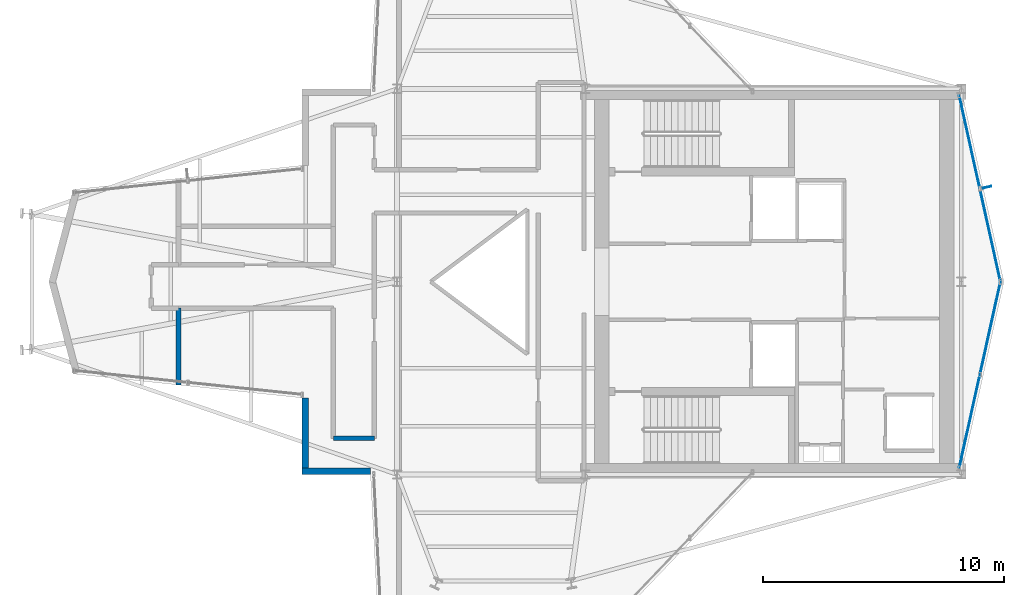
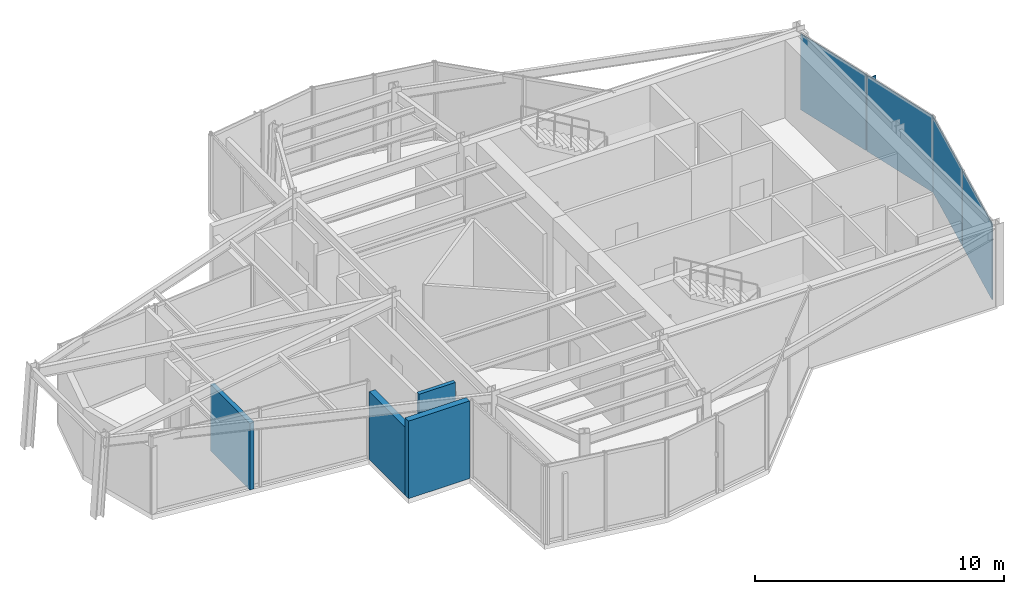
# One storey, part 11 of 14: 5 plates, 4 walls, 2 elements without a shape of their own.
"""IFC4 building model written with IfcOpenShell, lengths in metres."""

from ifc_helpers import new_model, si_unit, direction, frame, frame_2d, origin, origin_2d, place, context, subcontext, project, spatial, rectangle, extrude, material, layer, layer_set, type_object, element, aggregate, save


model = new_model("IFC4")

# Units and contexts
model_context = context("Model", 3, precision=1e-05, world=origin(), true_north=direction((0.0, 1.0)))
body_context = subcontext(model_context, "Body", "Model", "MODEL_VIEW")
ifc_project = project(units=[si_unit("LENGTHUNIT", "METRE"), si_unit("AREAUNIT", "SQUARE_METRE"), si_unit("VOLUMEUNIT", "CUBIC_METRE"), si_unit("PLANEANGLEUNIT", "RADIAN"), si_unit("MASSUNIT", "GRAM", prefix="KILO")], contexts=[model_context])

# Site, building, storey
site_placement = place(None, origin())
site = spatial("IfcSite", under=ifc_project, at=site_placement, CompositionType="ELEMENT")
building_placement = place(site_placement, origin())
building = spatial("IfcBuilding", under=site, at=building_placement, Name="Veymaron Broadcast Tower", CompositionType="ELEMENT")
storey_placement = place(building_placement, frame((0.0, 0.0, 299.25)))
storey = spatial("IfcBuildingStorey", under=building, at=storey_placement, Name="L70", CompositionType="ELEMENT", Elevation=299.25)

# Curtain wall, plates
ifc_material_1 = material(Name="Anodised aluminium AA 6063-T6 and laminated low-E dark glass", Category="aluminium")
ifc_layer_1 = layer(ifc_material_1, 0.179931640625)
ifc_layer_set_1 = layer_set([ifc_layer_1], Name="Anodised aluminium AA 6063-T6 and laminated low-E dark glass")
curtain_wall_type = type_object("IfcCurtainWallType", Name="CW-SYS-06", PredefinedType="NOTDEFINED", material=ifc_layer_set_1)
curtain_wall_1_placement = place(storey_placement, origin())
curtain_wall_1 = element("IfcCurtainWall", 1, at=curtain_wall_1_placement, inside=storey, type_object=curtain_wall_type, Name="L70 dark-glass curtain wall CW-L70-E2-1", PredefinedType="NOTDEFINED")
ifc_material_2 = material(Name="Insulated dark-anodised aluminium spandrel panel 40 mm", Category="aluminium")
ifc_layer_2 = layer(ifc_material_2, 0.0400390625)
ifc_layer_set_2 = layer_set([ifc_layer_2], Name="Insulated dark-anodised aluminium spandrel panel 40 mm")
plate_type_1 = type_object("IfcPlateType", Name="CW-PNL-03", PredefinedType="CURTAIN_PANEL", material=ifc_layer_set_2)
plate_1_placement = place(storey_placement, frame((54.945068359375, 18.20458984375, 0.0400390625), z_axis=(0.0, 0.0, 1.0), x_axis=(0.21630329519, 0.976326218274, 0.0)))
plate_1 = element("IfcPlate", 2, at=plate_1_placement, type_object=plate_type_1, Name="CW-L70-E2-1 unitised curtain panel 0", PredefinedType="CURTAIN_PANEL", context=body_context, shape_type="SweptSolid", body=[
    extrude(rectangle(XDim=3.91796875, YDim=0.0400390625, at=origin_2d()), origin(), (0.0, 0.0, 1.0), 3.72998046875),
])
plate_2_placement = place(storey_placement, frame((55.805419921875, 22.08837890625, 0.0400390625), z_axis=(0.0, 0.0, 1.0), x_axis=(0.21630329519, 0.976326218274, 0.0)))
plate_2 = element("IfcPlate", 3, at=plate_2_placement, type_object=plate_type_1, Name="CW-L70-E2-1 unitised curtain panel 1", PredefinedType="CURTAIN_PANEL", context=body_context, shape_type="SweptSolid", body=[
    extrude(rectangle(XDim=3.91796875, YDim=0.0400390625, at=origin_2d()), origin(), (0.0, 0.0, 1.0), 3.72998046875),
])
aggregate(curtain_wall_1, [plate_1, plate_2])

curtain_wall_2_placement = place(storey_placement, origin())
curtain_wall_2 = element("IfcCurtainWall", 4, at=curtain_wall_2_placement, inside=storey, type_object=curtain_wall_type, Name="L70 dark-glass curtain wall CW-L70-E3-1", PredefinedType="NOTDEFINED")
plate_3_placement = place(storey_placement, frame((55.805419921875, 25.91162109375, 0.0400390625), z_axis=(0.0, 0.0, 1.0), x_axis=(-0.21630329519, 0.976326218274, 0.0)))
plate_3 = element("IfcPlate", 5, at=plate_3_placement, type_object=plate_type_1, Name="CW-L70-E3-1 unitised curtain panel 0", PredefinedType="CURTAIN_PANEL", context=body_context, shape_type="SweptSolid", body=[
    extrude(rectangle(XDim=3.91796875, YDim=0.0400390625, at=origin_2d()), origin(), (0.0, 0.0, 1.0), 3.72998046875),
])
plate_4_placement = place(storey_placement, frame((54.945068359375, 29.79541015625, 0.0400390625), z_axis=(0.0, 0.0, 1.0), x_axis=(-0.21630329519, 0.976326218274, 0.0)))
plate_4 = element("IfcPlate", 6, at=plate_4_placement, type_object=plate_type_1, Name="CW-L70-E3-1 unitised curtain panel 1", PredefinedType="CURTAIN_PANEL", context=body_context, shape_type="SweptSolid", body=[
    extrude(rectangle(XDim=3.91796875, YDim=0.0400390625, at=origin_2d()), origin(), (0.0, 0.0, 1.0), 3.72998046875),
])
aggregate(curtain_wall_2, [plate_3, plate_4])

# Plate
ifc_material_3 = material(Name="Dark-anodised aluminium AA 6061-T6", Category="aluminium")
ifc_layer_3 = layer(ifc_material_3, 0.030029296875)
ifc_layer_set_3 = layer_set([ifc_layer_3], Name="Dark-anodised aluminium AA 6061-T6")
plate_type_2 = type_object("IfcPlateType", Name="FIN-CHEV-02", PredefinedType="USERDEFINED", material=ifc_layer_set_3)
plate_5_placement = place(storey_placement, frame((55.673095703125, 27.91943359375, 0.2666015625), z_axis=(0.0, 0.0, 1.0), x_axis=(0.976326218274, 0.21630329519, 0.0)))
element("IfcPlate", 7, at=plate_5_placement, inside=storey, type_object=plate_type_2, Name="CW-L70-E3-1 chevron fin 1", ObjectType="FIN", PredefinedType="USERDEFINED", context=body_context, shape_type="SweptSolid", body=[
    extrude(rectangle(XDim=0.35009765625, YDim=0.034912109375, at=origin_2d()), origin(), (0.0, 0.0, 1.0), 3.276611328125),
])

# Walls
ifc_material_4 = material(Name="Concrete C40/50", Category="concrete")
ifc_layer_4 = layer(ifc_material_4, 0.199951171875)
ifc_layer_set_4 = layer_set([ifc_layer_4], Name="Concrete C40/50")
wall_type_1 = type_object("IfcWallType", Name="WALL-BLK-200", PredefinedType="SOLIDWALL", material=ifc_layer_set_4)
wall_1_placement = place(storey_placement, frame((22.1279296875, 19.71533203125, 0.0), z_axis=(0.0, 0.0, 1.0), x_axis=(0.0, 1.0, 0.0)))
element("IfcWall", 8, at=wall_1_placement, inside=storey, type_object=wall_type_1, Name="L70 partition IW-L70-P24", PredefinedType="SOLIDWALL", context=body_context, shape_type="SweptSolid", body=[
    extrude(rectangle(XDim=3.1845703125, YDim=0.199951171875, at=frame_2d((1.59228515625, 0.0))), origin(), (0.0, 0.0, 1.0), 3.27001953125),
])
ifc_material_5 = material(Name="Precast concrete C40/50", Category="concrete")
ifc_layer_5 = layer(ifc_material_5, 0.280029296875)
ifc_layer_set_5 = layer_set([ifc_layer_5], Name="Precast concrete C40/50")
wall_type_2 = type_object("IfcWallType", Name="WALL-EXT-280", PredefinedType="STANDARD", material=ifc_layer_set_5)
wall_2_placement = place(storey_placement, frame((27.3896484375, 19.177001953125, 0.0), z_axis=(0.0, 0.0, 1.0), x_axis=(0.0, -1.0, 0.0)))
element("IfcWall", 9, at=wall_2_placement, inside=storey, type_object=wall_type_2, Name="L70 notched corner facade pier 15-1", PredefinedType="STANDARD", context=body_context, shape_type="SweptSolid", body=[
    extrude(rectangle(XDim=3.177001953125, YDim=0.280029296875, at=frame_2d((1.58837890625, 0.0))), origin(), (0.0, 0.0, 1.0), 3.339111328125),
])
wall_3_placement = place(storey_placement, frame((27.24951171875, 16.139892578125, 0.0), z_axis=(0.0, 0.0, 1.0), x_axis=(1.0, 0.0, 0.0)))
element("IfcWall", 10, at=wall_3_placement, inside=storey, type_object=wall_type_2, Name="L70 notched corner facade pier 16-1", PredefinedType="STANDARD", context=body_context, shape_type="SweptSolid", body=[
    extrude(rectangle(XDim=2.84130859375, YDim=0.280029296875, at=frame_2d((1.420654296875, 0.0))), origin(), (0.0, 0.0, 1.0), 3.81005859375),
])
ifc_layer_6 = layer(ifc_material_4, 0.179931640625)
ifc_layer_set_6 = layer_set([ifc_layer_6], Name="Concrete C40/50")
wall_type_3 = type_object("IfcWallType", Name="WALL-FIRE-180", PredefinedType="SOLIDWALL", material=ifc_layer_set_6)
wall_4_placement = place(storey_placement, frame((28.550048828125, 17.5, 0.0), z_axis=(0.0, 0.0, 1.0), x_axis=(1.0, 0.0, 0.0)))
element("IfcWall", 11, at=wall_4_placement, inside=storey, type_object=wall_type_3, Name="L70 partition IW-L70-P08", PredefinedType="SOLIDWALL", context=body_context, shape_type="SweptSolid", body=[
    extrude(rectangle(XDim=1.699951171875, YDim=0.179931640625, at=frame_2d((0.85009765625, 0.0))), origin(), (0.0, 0.0, 1.0), 3.81005859375),
])

save(model, "model.ifc")
